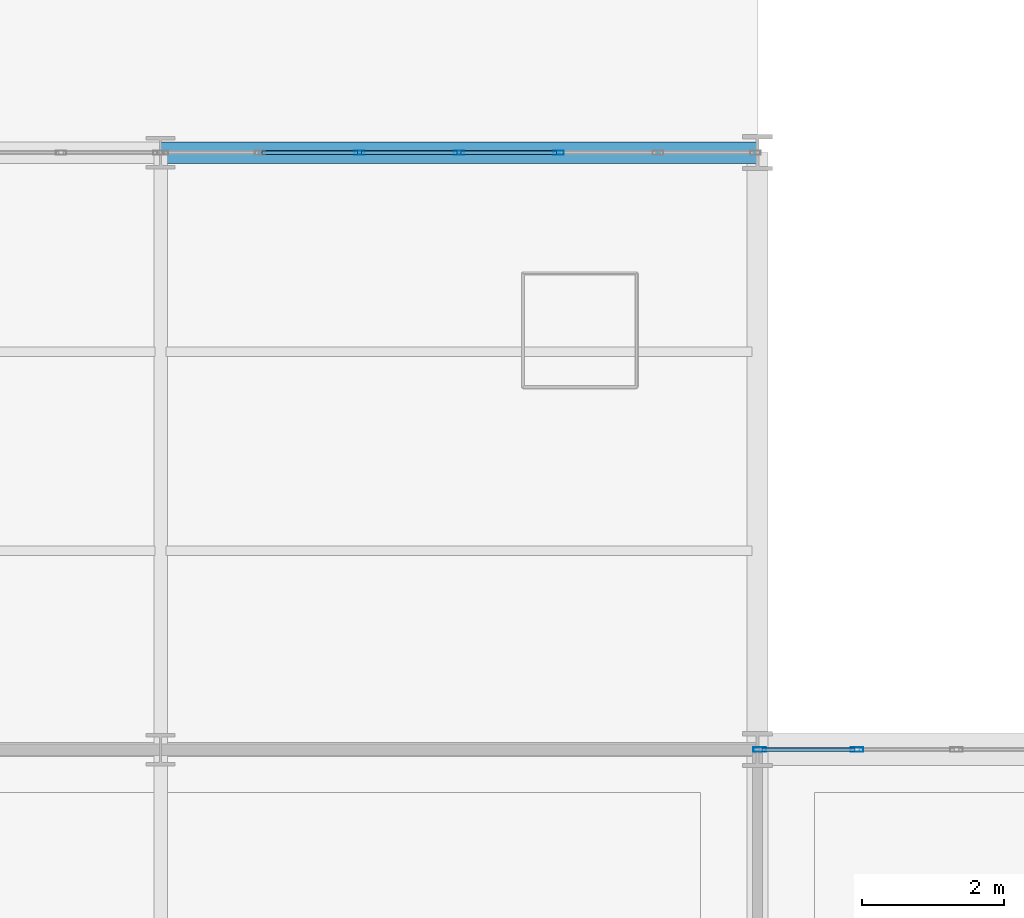
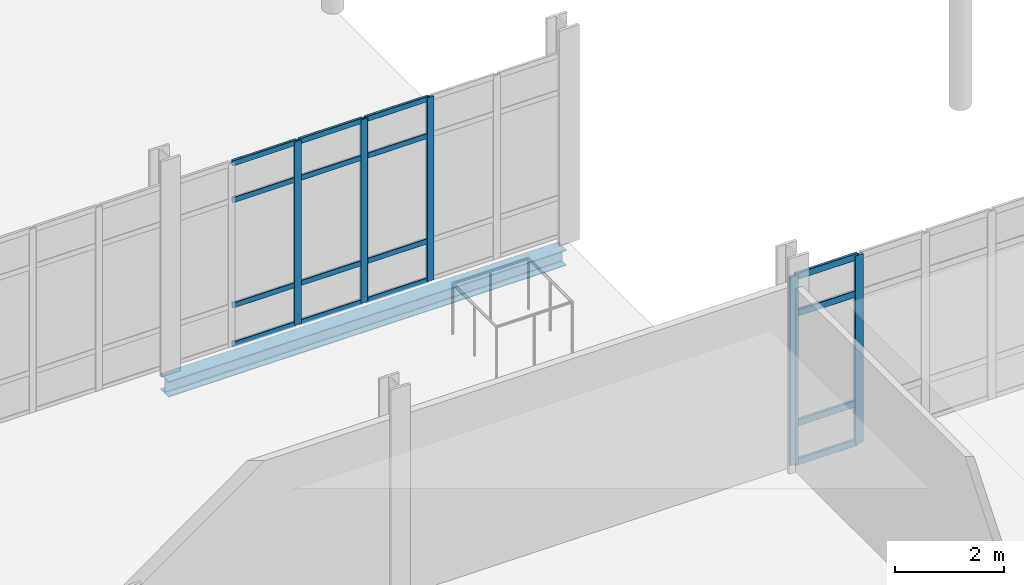
# One storey, part 40 of 145: 21 members, 1 beam, 2 elements without a shape of their own.
"""IFC4 building model written with IfcOpenShell, lengths in metres."""

from ifc_helpers import new_model, si_unit, direction, frame, origin, origin_2d, place, context, subcontext, project, spatial, hollow_rectangle, i_section, extrude, material, layer, layer_set, material_profile, profile_set, type_object, element, aggregate, save


model = new_model("IFC4")

# Units and contexts
model_context = context("Model", 3, precision=1e-05, world=origin(), true_north=direction((0.0, 1.0)))
body_context = subcontext(model_context, "Body", "Model", "MODEL_VIEW")
ifc_project = project(units=[si_unit("LENGTHUNIT", "METRE"), si_unit("AREAUNIT", "SQUARE_METRE"), si_unit("VOLUMEUNIT", "CUBIC_METRE"), si_unit("PLANEANGLEUNIT", "RADIAN"), si_unit("MASSUNIT", "GRAM", prefix="KILO")], contexts=[model_context])

# Site, building, storey
site_placement = place(None, origin())
site = spatial("IfcSite", under=ifc_project, at=site_placement, CompositionType="ELEMENT")
building_placement = place(site_placement, origin())
building = spatial("IfcBuilding", under=site, at=building_placement, Name="Qalvenar Corner Mobility Hub", CompositionType="ELEMENT")
storey_placement = place(building_placement, origin())
storey = spatial("IfcBuildingStorey", under=building, at=storey_placement, Name="L00", CompositionType="ELEMENT", Elevation=0.0)

# Beam
ifc_material_1 = material(Name="Steel S355", Category="steel")
ifc_material_profile_1 = material_profile(ifc_material_1, i_section(OverallWidth=0.300048828125, OverallDepth=0.35009765625, WebThickness=0.010009765625, FlangeThickness=0.017578125, FilletRadius=0.027099609375, at=origin_2d()), Name="HEA360")
ifc_profile_set_1 = profile_set([ifc_material_profile_1], Name="Steel S355")
beam_type = type_object("IfcBeamType", Name="BM-SPN360", PredefinedType="SPANDREL", material=ifc_profile_set_1)
beam_placement = place(storey_placement, frame((42.0, 42.0, -0.39501953125), z_axis=(1.0, 0.0, 0.0), x_axis=(0.0, 1.0, 0.0)))
element("IfcBeam", 1, at=beam_placement, inside=storey, type_object=beam_type, Name="Primary Steel Girder GX-0036", PredefinedType="SPANDREL", context=body_context, shape_type="SweptSolid", body=[
    extrude(i_section(OverallWidth=0.300048828125, OverallDepth=0.35009765625, WebThickness=0.010009765625, FlangeThickness=0.017578125, FilletRadius=0.027099609375, at=origin_2d()), origin(), (0.0, 0.0, 1.0), 8.39990234375),
])

# Curtain wall, members
ifc_material_2 = material(Name="Anodised Aluminium and Low-E Glazing", Category="aluminium")
ifc_layer_1 = layer(ifc_material_2, 0.14990234375)
ifc_layer_set_1 = layer_set([ifc_layer_1], Name="Anodised Aluminium and Low-E Glazing")
curtain_wall_type_1 = type_object("IfcCurtainWallType", Name="CW-CIV-84X46", PredefinedType="NOTDEFINED", material=ifc_layer_set_1)
curtain_wall_1_placement = place(storey_placement, origin())
curtain_wall_1 = element("IfcCurtainWall", 2, at=curtain_wall_1_placement, inside=storey, type_object=curtain_wall_type_1, Name="Glazed Curtain Wall CW-V3-L00-N005", PredefinedType="NOTDEFINED")
ifc_material_3 = material(Name="Anodised Aluminium 6063-T6", Category="aluminium")
ifc_material_profile_2 = material_profile(ifc_material_3, hollow_rectangle(XDim=0.06005859375, YDim=0.14990234375, WallThickness=0.00390625, InnerFilletRadius=0.00390625, OuterFilletRadius=0.008056640625, at=origin_2d()), Name="RHS150x60x4")
ifc_profile_set_2 = profile_set([ifc_material_profile_2], Name="Anodised Aluminium 6063-T6")
member_type_1 = type_object("IfcMemberType", Name="CW-MUL150", PredefinedType="MULLION", material=ifc_profile_set_2)
member_1_placement = place(storey_placement, frame((47.60009765625, 42.0, 0.0), z_axis=(0.0, 0.0, 1.0), x_axis=(0.0, -1.0, 0.0)))
member_1 = element("IfcMember", 3, at=member_1_placement, type_object=member_type_1, Name="CW-04 mullion 3", PredefinedType="MULLION", context=body_context, shape_type="SweptSolid", body=[
    extrude(hollow_rectangle(XDim=0.06005859375, YDim=0.14990234375, WallThickness=0.00390625, InnerFilletRadius=0.00390625, OuterFilletRadius=0.008056640625, at=origin_2d()), origin(), (0.0, 0.0, 1.0), 4.10009765625),
])
member_2_placement = place(storey_placement, frame((46.199951171875, 42.0, 0.0), z_axis=(0.0, 0.0, 1.0), x_axis=(0.0, -1.0, 0.0)))
member_2 = element("IfcMember", 4, at=member_2_placement, type_object=member_type_1, Name="CW-04 mullion 4", PredefinedType="MULLION", context=body_context, shape_type="SweptSolid", body=[
    extrude(hollow_rectangle(XDim=0.06005859375, YDim=0.14990234375, WallThickness=0.00390625, InnerFilletRadius=0.00390625, OuterFilletRadius=0.008056640625, at=origin_2d()), origin(), (0.0, 0.0, 1.0), 4.10009765625),
])
member_3_placement = place(storey_placement, frame((44.800048828125, 42.0, 0.0), z_axis=(0.0, 0.0, 1.0), x_axis=(0.0, -1.0, 0.0)))
member_3 = element("IfcMember", 5, at=member_3_placement, type_object=member_type_1, Name="CW-04 mullion 5", PredefinedType="MULLION", context=body_context, shape_type="SweptSolid", body=[
    extrude(hollow_rectangle(XDim=0.06005859375, YDim=0.14990234375, WallThickness=0.00390625, InnerFilletRadius=0.00390625, OuterFilletRadius=0.008056640625, at=origin_2d()), origin(), (0.0, 0.0, 1.0), 4.10009765625),
])

ifc_layer_2 = layer(ifc_material_2, 0.179931640625)
ifc_layer_set_2 = layer_set([ifc_layer_2], Name="Anodised Aluminium and Low-E Glazing")
curtain_wall_type_2 = type_object("IfcCurtainWallType", Name="CW-CONC-84X48", PredefinedType="NOTDEFINED", material=ifc_layer_set_2)
curtain_wall_2_placement = place(storey_placement, origin())
curtain_wall_2 = element("IfcCurtainWall", 6, at=curtain_wall_2_placement, inside=storey, type_object=curtain_wall_type_2, Name="Glazed Curtain Wall CW-V1-L00-N0", PredefinedType="NOTDEFINED")
ifc_material_profile_3 = material_profile(ifc_material_3, hollow_rectangle(XDim=0.06494140625, YDim=0.179931640625, WallThickness=0.00390625, InnerFilletRadius=0.00390625, OuterFilletRadius=0.008056640625, at=origin_2d()), Name="RHS180x65x4")
ifc_profile_set_3 = profile_set([ifc_material_profile_3], Name="Anodised Aluminium 6063-T6")
member_type_2 = type_object("IfcMemberType", Name="CW-MUL180", PredefinedType="MULLION", material=ifc_profile_set_3)
member_4_placement = place(storey_placement, frame((51.800048828125, 33.60009765625, 0.0), z_axis=(0.0, 0.0, 1.0), x_axis=(0.0, -1.0, 0.0)))
member_4 = element("IfcMember", 7, at=member_4_placement, type_object=member_type_2, Name="CW-01 mullion 6", PredefinedType="MULLION", context=body_context, shape_type="SweptSolid", body=[
    extrude(hollow_rectangle(XDim=0.06494140625, YDim=0.179931640625, WallThickness=0.00390625, InnerFilletRadius=0.00390625, OuterFilletRadius=0.008056640625, at=origin_2d()), origin(), (0.0, 0.0, 1.0), 4.199951171875),
])
member_5_placement = place(storey_placement, frame((50.429931640625, 33.60009765625, 0.0), z_axis=(0.0, 0.0, 1.0), x_axis=(0.0, -1.0, 0.0)))
member_5 = element("IfcMember", 8, at=member_5_placement, type_object=member_type_2, Name="CW-01 mullion 7", PredefinedType="MULLION", context=body_context, shape_type="SweptSolid", body=[
    extrude(hollow_rectangle(XDim=0.06494140625, YDim=0.179931640625, WallThickness=0.00390625, InnerFilletRadius=0.00390625, OuterFilletRadius=0.008056640625, at=origin_2d()), origin(), (0.0, 0.0, 1.0), 4.199951171875),
])

# Member
ifc_material_profile_4 = material_profile(ifc_material_3, hollow_rectangle(XDim=0.054931640625, YDim=0.1201171875, WallThickness=0.00341796875, InnerFilletRadius=0.00341796875, OuterFilletRadius=0.007080078125, at=origin_2d()), Name="RHS120x55x3.5")
ifc_profile_set_4 = profile_set([ifc_material_profile_4], Name="Anodised Aluminium 6063-T6")
member_type_3 = type_object("IfcMemberType", Name="CW-TRN120", PredefinedType="USERDEFINED", material=ifc_profile_set_4)
member_6_placement = place(storey_placement, frame((47.570068359375, 42.0, 0.027587890625), z_axis=(-1.0, 0.0, 0.0), x_axis=(0.0, -1.0, 0.0)))
member_6 = element("IfcMember", 9, at=member_6_placement, type_object=member_type_3, Name="CW-04 transom 3.1", ObjectType="TRANSOM", PredefinedType="USERDEFINED", context=body_context, shape_type="SweptSolid", body=[
    extrude(hollow_rectangle(XDim=0.054931640625, YDim=0.1201171875, WallThickness=0.00341796875, InnerFilletRadius=0.00341796875, OuterFilletRadius=0.007080078125, at=origin_2d()), origin(), (0.0, 0.0, 1.0), 1.340087890625),
])

member_7_placement = place(storey_placement, frame((47.570068359375, 42.0, 0.89990234375), z_axis=(-1.0, 0.0, 0.0), x_axis=(0.0, -1.0, 0.0)))
member_7 = element("IfcMember", 10, at=member_7_placement, type_object=member_type_3, Name="CW-04 transom 3.2", ObjectType="TRANSOM", PredefinedType="USERDEFINED", context=body_context, shape_type="SweptSolid", body=[
    extrude(hollow_rectangle(XDim=0.054931640625, YDim=0.1201171875, WallThickness=0.00341796875, InnerFilletRadius=0.00341796875, OuterFilletRadius=0.007080078125, at=origin_2d()), origin(), (0.0, 0.0, 1.0), 1.340087890625),
])

member_8_placement = place(storey_placement, frame((47.570068359375, 42.0, 3.25), z_axis=(-1.0, 0.0, 0.0), x_axis=(0.0, -1.0, 0.0)))
member_8 = element("IfcMember", 11, at=member_8_placement, type_object=member_type_3, Name="CW-04 transom 3.3", ObjectType="TRANSOM", PredefinedType="USERDEFINED", context=body_context, shape_type="SweptSolid", body=[
    extrude(hollow_rectangle(XDim=0.054931640625, YDim=0.1201171875, WallThickness=0.00341796875, InnerFilletRadius=0.00341796875, OuterFilletRadius=0.007080078125, at=origin_2d()), origin(), (0.0, 0.0, 1.0), 1.340087890625),
])

member_9_placement = place(storey_placement, frame((47.570068359375, 42.0, 4.072509765625), z_axis=(-1.0, 0.0, 0.0), x_axis=(0.0, -1.0, 0.0)))
member_9 = element("IfcMember", 12, at=member_9_placement, type_object=member_type_3, Name="CW-04 transom 3.4", ObjectType="TRANSOM", PredefinedType="USERDEFINED", context=body_context, shape_type="SweptSolid", body=[
    extrude(hollow_rectangle(XDim=0.054931640625, YDim=0.1201171875, WallThickness=0.00341796875, InnerFilletRadius=0.00341796875, OuterFilletRadius=0.007080078125, at=origin_2d()), origin(), (0.0, 0.0, 1.0), 1.340087890625),
])

member_10_placement = place(storey_placement, frame((46.169921875, 42.0, 0.027587890625), z_axis=(-1.0, 0.0, 0.0), x_axis=(0.0, -1.0, 0.0)))
member_10 = element("IfcMember", 13, at=member_10_placement, type_object=member_type_3, Name="CW-04 transom 4.1", ObjectType="TRANSOM", PredefinedType="USERDEFINED", context=body_context, shape_type="SweptSolid", body=[
    extrude(hollow_rectangle(XDim=0.054931640625, YDim=0.1201171875, WallThickness=0.00341796875, InnerFilletRadius=0.00341796875, OuterFilletRadius=0.007080078125, at=origin_2d()), origin(), (0.0, 0.0, 1.0), 1.33984375),
])

member_11_placement = place(storey_placement, frame((46.169921875, 42.0, 0.89990234375), z_axis=(-1.0, 0.0, 0.0), x_axis=(0.0, -1.0, 0.0)))
member_11 = element("IfcMember", 14, at=member_11_placement, type_object=member_type_3, Name="CW-04 transom 4.2", ObjectType="TRANSOM", PredefinedType="USERDEFINED", context=body_context, shape_type="SweptSolid", body=[
    extrude(hollow_rectangle(XDim=0.054931640625, YDim=0.1201171875, WallThickness=0.00341796875, InnerFilletRadius=0.00341796875, OuterFilletRadius=0.007080078125, at=origin_2d()), origin(), (0.0, 0.0, 1.0), 1.33984375),
])

member_12_placement = place(storey_placement, frame((46.169921875, 42.0, 3.25), z_axis=(-1.0, 0.0, 0.0), x_axis=(0.0, -1.0, 0.0)))
member_12 = element("IfcMember", 15, at=member_12_placement, type_object=member_type_3, Name="CW-04 transom 4.3", ObjectType="TRANSOM", PredefinedType="USERDEFINED", context=body_context, shape_type="SweptSolid", body=[
    extrude(hollow_rectangle(XDim=0.054931640625, YDim=0.1201171875, WallThickness=0.00341796875, InnerFilletRadius=0.00341796875, OuterFilletRadius=0.007080078125, at=origin_2d()), origin(), (0.0, 0.0, 1.0), 1.33984375),
])

member_13_placement = place(storey_placement, frame((46.169921875, 42.0, 4.072509765625), z_axis=(-1.0, 0.0, 0.0), x_axis=(0.0, -1.0, 0.0)))
member_13 = element("IfcMember", 16, at=member_13_placement, type_object=member_type_3, Name="CW-04 transom 4.4", ObjectType="TRANSOM", PredefinedType="USERDEFINED", context=body_context, shape_type="SweptSolid", body=[
    extrude(hollow_rectangle(XDim=0.054931640625, YDim=0.1201171875, WallThickness=0.00341796875, InnerFilletRadius=0.00341796875, OuterFilletRadius=0.007080078125, at=origin_2d()), origin(), (0.0, 0.0, 1.0), 1.33984375),
])

member_14_placement = place(storey_placement, frame((44.77001953125, 42.0, 0.027587890625), z_axis=(-1.0, 0.0, 0.0), x_axis=(0.0, -1.0, 0.0)))
member_14 = element("IfcMember", 17, at=member_14_placement, type_object=member_type_3, Name="CW-04 transom 5.1", ObjectType="TRANSOM", PredefinedType="USERDEFINED", context=body_context, shape_type="SweptSolid", body=[
    extrude(hollow_rectangle(XDim=0.054931640625, YDim=0.1201171875, WallThickness=0.00341796875, InnerFilletRadius=0.00341796875, OuterFilletRadius=0.007080078125, at=origin_2d()), origin(), (0.0, 0.0, 1.0), 1.340087890625),
])

member_15_placement = place(storey_placement, frame((44.77001953125, 42.0, 0.89990234375), z_axis=(-1.0, 0.0, 0.0), x_axis=(0.0, -1.0, 0.0)))
member_15 = element("IfcMember", 18, at=member_15_placement, type_object=member_type_3, Name="CW-04 transom 5.2", ObjectType="TRANSOM", PredefinedType="USERDEFINED", context=body_context, shape_type="SweptSolid", body=[
    extrude(hollow_rectangle(XDim=0.054931640625, YDim=0.1201171875, WallThickness=0.00341796875, InnerFilletRadius=0.00341796875, OuterFilletRadius=0.007080078125, at=origin_2d()), origin(), (0.0, 0.0, 1.0), 1.340087890625),
])

member_16_placement = place(storey_placement, frame((44.77001953125, 42.0, 3.25), z_axis=(-1.0, 0.0, 0.0), x_axis=(0.0, -1.0, 0.0)))
member_16 = element("IfcMember", 19, at=member_16_placement, type_object=member_type_3, Name="CW-04 transom 5.3", ObjectType="TRANSOM", PredefinedType="USERDEFINED", context=body_context, shape_type="SweptSolid", body=[
    extrude(hollow_rectangle(XDim=0.054931640625, YDim=0.1201171875, WallThickness=0.00341796875, InnerFilletRadius=0.00341796875, OuterFilletRadius=0.007080078125, at=origin_2d()), origin(), (0.0, 0.0, 1.0), 1.340087890625),
])

member_17_placement = place(storey_placement, frame((44.77001953125, 42.0, 4.072509765625), z_axis=(-1.0, 0.0, 0.0), x_axis=(0.0, -1.0, 0.0)))
member_17 = element("IfcMember", 20, at=member_17_placement, type_object=member_type_3, Name="CW-04 transom 5.4", ObjectType="TRANSOM", PredefinedType="USERDEFINED", context=body_context, shape_type="SweptSolid", body=[
    extrude(hollow_rectangle(XDim=0.054931640625, YDim=0.1201171875, WallThickness=0.00341796875, InnerFilletRadius=0.00341796875, OuterFilletRadius=0.007080078125, at=origin_2d()), origin(), (0.0, 0.0, 1.0), 1.340087890625),
])

aggregate(curtain_wall_1, [member_1, member_2, member_3, member_6, member_7, member_8, member_9, member_10, member_11, member_12, member_13, member_14, member_15, member_16, member_17])

ifc_material_profile_5 = material_profile(ifc_material_3, hollow_rectangle(XDim=0.06005859375, YDim=0.14990234375, WallThickness=0.00341796875, InnerFilletRadius=0.00341796875, OuterFilletRadius=0.007080078125, at=origin_2d()), Name="RHS150x60x3.5")
ifc_profile_set_5 = profile_set([ifc_material_profile_5], Name="Anodised Aluminium 6063-T6")
member_type_4 = type_object("IfcMemberType", Name="CW-TRN150", PredefinedType="USERDEFINED", material=ifc_profile_set_5)
member_18_placement = place(storey_placement, frame((51.77001953125, 33.60009765625, 0.027587890625), z_axis=(-1.0, 0.0, 0.0), x_axis=(0.0, -1.0, 0.0)))
member_18 = element("IfcMember", 21, at=member_18_placement, type_object=member_type_4, Name="CW-01 transom 6.1", ObjectType="TRANSOM", PredefinedType="USERDEFINED", context=body_context, shape_type="SweptSolid", body=[
    extrude(hollow_rectangle(XDim=0.06005859375, YDim=0.14990234375, WallThickness=0.00341796875, InnerFilletRadius=0.00341796875, OuterFilletRadius=0.007080078125, at=origin_2d()), origin(), (0.0, 0.0, 1.0), 1.31005859375),
])

member_19_placement = place(storey_placement, frame((51.77001953125, 33.60009765625, 0.89990234375), z_axis=(-1.0, 0.0, 0.0), x_axis=(0.0, -1.0, 0.0)))
member_19 = element("IfcMember", 22, at=member_19_placement, type_object=member_type_4, Name="CW-01 transom 6.2", ObjectType="TRANSOM", PredefinedType="USERDEFINED", context=body_context, shape_type="SweptSolid", body=[
    extrude(hollow_rectangle(XDim=0.06005859375, YDim=0.14990234375, WallThickness=0.00341796875, InnerFilletRadius=0.00341796875, OuterFilletRadius=0.007080078125, at=origin_2d()), origin(), (0.0, 0.0, 1.0), 1.31005859375),
])

member_20_placement = place(storey_placement, frame((51.77001953125, 33.60009765625, 3.35009765625), z_axis=(-1.0, 0.0, 0.0), x_axis=(0.0, -1.0, 0.0)))
member_20 = element("IfcMember", 23, at=member_20_placement, type_object=member_type_4, Name="CW-01 transom 6.3", ObjectType="TRANSOM", PredefinedType="USERDEFINED", context=body_context, shape_type="SweptSolid", body=[
    extrude(hollow_rectangle(XDim=0.06005859375, YDim=0.14990234375, WallThickness=0.00341796875, InnerFilletRadius=0.00341796875, OuterFilletRadius=0.007080078125, at=origin_2d()), origin(), (0.0, 0.0, 1.0), 1.31005859375),
])

member_21_placement = place(storey_placement, frame((51.77001953125, 33.60009765625, 4.172607421875), z_axis=(-1.0, 0.0, 0.0), x_axis=(0.0, -1.0, 0.0)))
member_21 = element("IfcMember", 24, at=member_21_placement, type_object=member_type_4, Name="CW-01 transom 6.4", ObjectType="TRANSOM", PredefinedType="USERDEFINED", context=body_context, shape_type="SweptSolid", body=[
    extrude(hollow_rectangle(XDim=0.06005859375, YDim=0.14990234375, WallThickness=0.00341796875, InnerFilletRadius=0.00341796875, OuterFilletRadius=0.007080078125, at=origin_2d()), origin(), (0.0, 0.0, 1.0), 1.31005859375),
])

aggregate(curtain_wall_2, [member_4, member_5, member_18, member_19, member_20, member_21])

save(model, "model.ifc")
